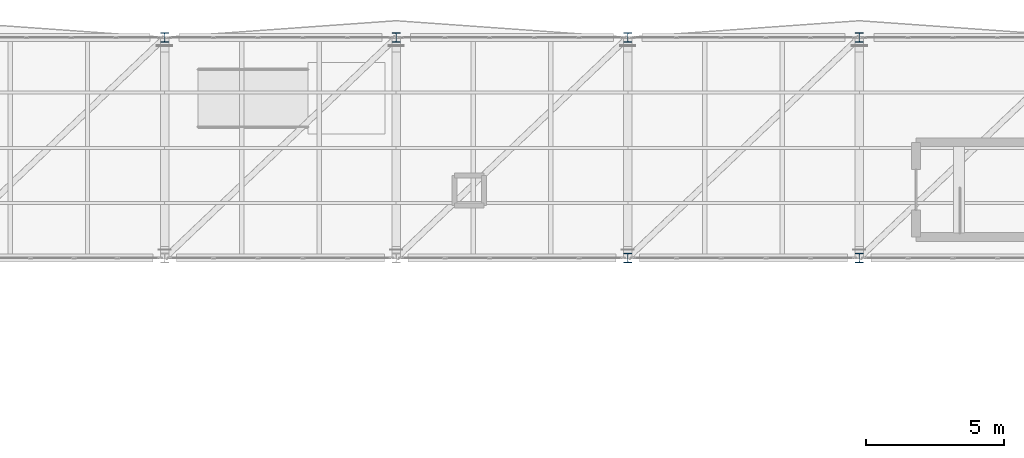
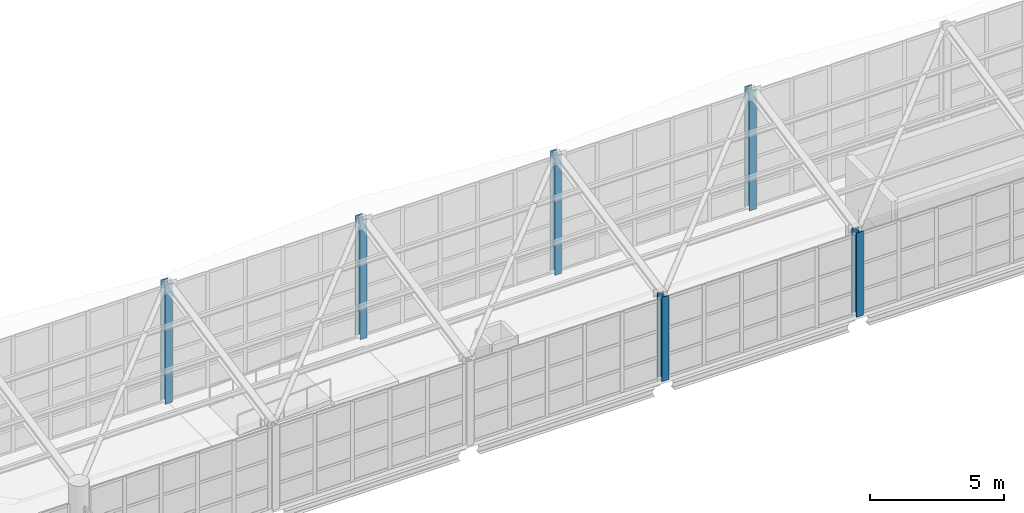
# One storey, part 5 of 177: 6 columns.
"""IFC4 building model written with IfcOpenShell, lengths in metres."""

from ifc_helpers import new_model, si_unit, direction, frame, origin, origin_2d, place, context, subcontext, project, spatial, i_section, extrude, material, material_profile, profile_set, type_object, element, save


model = new_model("IFC4")

# Units and contexts
model_context = context("Model", 3, precision=1e-05, world=origin(), true_north=direction((0.0, 1.0)))
body_context = subcontext(model_context, "Body", "Model", "MODEL_VIEW")
ifc_project = project(units=[si_unit("LENGTHUNIT", "METRE"), si_unit("AREAUNIT", "SQUARE_METRE"), si_unit("VOLUMEUNIT", "CUBIC_METRE"), si_unit("PLANEANGLEUNIT", "RADIAN"), si_unit("MASSUNIT", "GRAM", prefix="KILO"), si_unit("THERMODYNAMICTEMPERATUREUNIT", "KELVIN"), si_unit("POWERUNIT", "WATT")], contexts=[model_context])

# Site, building, storey
site_placement = place(None, origin())
site = spatial("IfcSite", under=ifc_project, at=site_placement, CompositionType="ELEMENT")
building_placement = place(site_placement, origin())
building = spatial("IfcBuilding", under=site, at=building_placement, Name="Mavoryth Pier Ferry Terminal", CompositionType="ELEMENT")
storey_placement = place(building_placement, frame((0.0, 0.0, 5.43994140625)))
storey = spatial("IfcBuildingStorey", under=building, at=storey_placement, Name="L01", CompositionType="ELEMENT", Elevation=5.43994140625)

# Columns
ifc_material = material(Name="Steel S355J2", Category="steel")
ifc_material_profile = material_profile(ifc_material, i_section(OverallWidth=0.300048828125, OverallDepth=0.360107421875, WebThickness=0.012451171875, FlangeThickness=0.0224609375, FilletRadius=0.027099609375, at=origin_2d()), Name="HEB 360", Category="steel")
ifc_profile_set = profile_set([ifc_material_profile], Name="Steel S355J2 - HEB 360")
column_type = type_object("IfcColumnType", Name="Col-SteelBridge-HEB360", PredefinedType="COLUMN", material=ifc_profile_set)
for number, where, z_axis, x_axis, name in (
    (1, (100.800048828125, 114.0, 0.0), (0.0, 0.0, 1.0), (1.0, 0.0, 0.0), "Column C01-SC03-274"),
    (2, (109.199951171875, 114.0, 0.0), (0.0, 0.0, 1.0), (1.0, 0.0, 0.0), "Column C01-SC03-278"),
):
    element("IfcColumn", number, at=place(storey_placement, frame(where, z_axis=z_axis, x_axis=x_axis)), inside=storey, type_object=column_type, Name=name, PredefinedType="COLUMN", context=body_context, shape_type="SweptSolid", body=[
        extrude(i_section(OverallWidth=0.300048828125, OverallDepth=0.360107421875, WebThickness=0.012451171875, FlangeThickness=0.0224609375, FilletRadius=0.027099609375, at=origin_2d()), origin(), (0.0, 0.0, 1.0), 5.4677734375),
    ])
column_1_placement = place(storey_placement, frame((117.60009765625, 106.0, 0.0), z_axis=(0.0, 0.0, 1.0), x_axis=(1.0, 0.0, 0.0)))
element("IfcColumn", 3, at=column_1_placement, inside=storey, type_object=column_type, Name="Column C01-SC03-280", PredefinedType="COLUMN", context=body_context, shape_type="SweptSolid", body=[
    extrude(i_section(OverallWidth=0.300048828125, OverallDepth=0.360107421875, WebThickness=0.012451171875, FlangeThickness=0.0224609375, FilletRadius=0.027099609375, at=origin_2d()), origin(), (0.0, 0.0, 1.0), 3.840087890625),
])
column_2_placement = place(storey_placement, frame((117.60009765625, 114.0, 0.0), z_axis=(0.0, 0.0, 1.0), x_axis=(1.0, 0.0, 0.0)))
element("IfcColumn", 4, at=column_2_placement, inside=storey, type_object=column_type, Name="Column C01-SC03-282", PredefinedType="COLUMN", context=body_context, shape_type="SweptSolid", body=[
    extrude(i_section(OverallWidth=0.300048828125, OverallDepth=0.360107421875, WebThickness=0.012451171875, FlangeThickness=0.0224609375, FilletRadius=0.027099609375, at=origin_2d()), origin(), (0.0, 0.0, 1.0), 5.4677734375),
])
column_3_placement = place(storey_placement, frame((126.0, 106.0, 0.0), z_axis=(0.0, 0.0, 1.0), x_axis=(1.0, 0.0, 0.0)))
element("IfcColumn", 5, at=column_3_placement, inside=storey, type_object=column_type, Name="Column C01-SC03-284", PredefinedType="COLUMN", context=body_context, shape_type="SweptSolid", body=[
    extrude(i_section(OverallWidth=0.300048828125, OverallDepth=0.360107421875, WebThickness=0.012451171875, FlangeThickness=0.0224609375, FilletRadius=0.027099609375, at=origin_2d()), origin(), (0.0, 0.0, 1.0), 3.840087890625),
])
column_4_placement = place(storey_placement, frame((126.0, 114.0, 0.0), z_axis=(0.0, 0.0, 1.0), x_axis=(1.0, 0.0, 0.0)))
element("IfcColumn", 6, at=column_4_placement, inside=storey, type_object=column_type, Name="Column C01-SC03-286", PredefinedType="COLUMN", context=body_context, shape_type="SweptSolid", body=[
    extrude(i_section(OverallWidth=0.300048828125, OverallDepth=0.360107421875, WebThickness=0.012451171875, FlangeThickness=0.0224609375, FilletRadius=0.027099609375, at=origin_2d()), origin(), (0.0, 0.0, 1.0), 5.4677734375),
])

save(model, "model.ifc")
